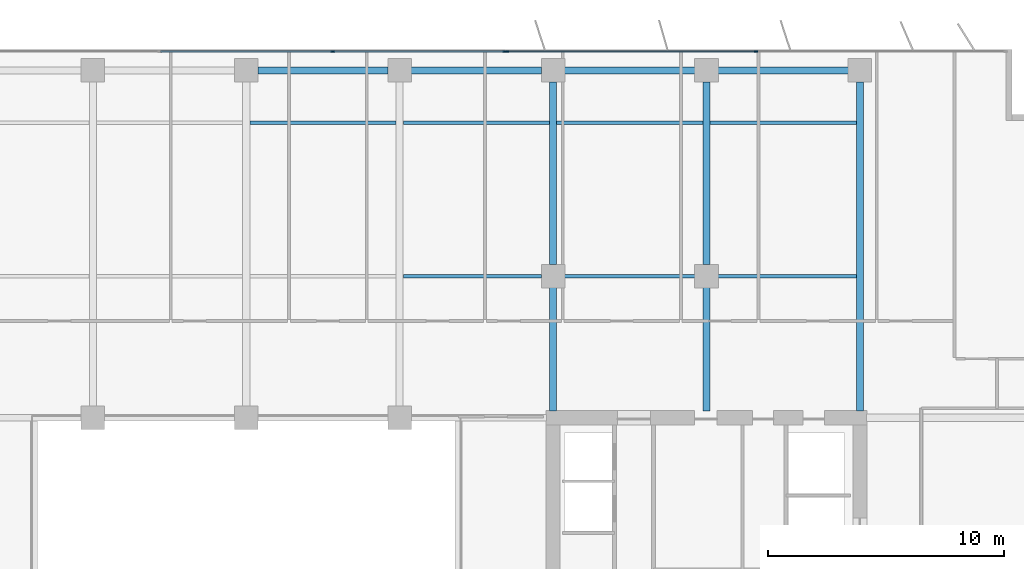
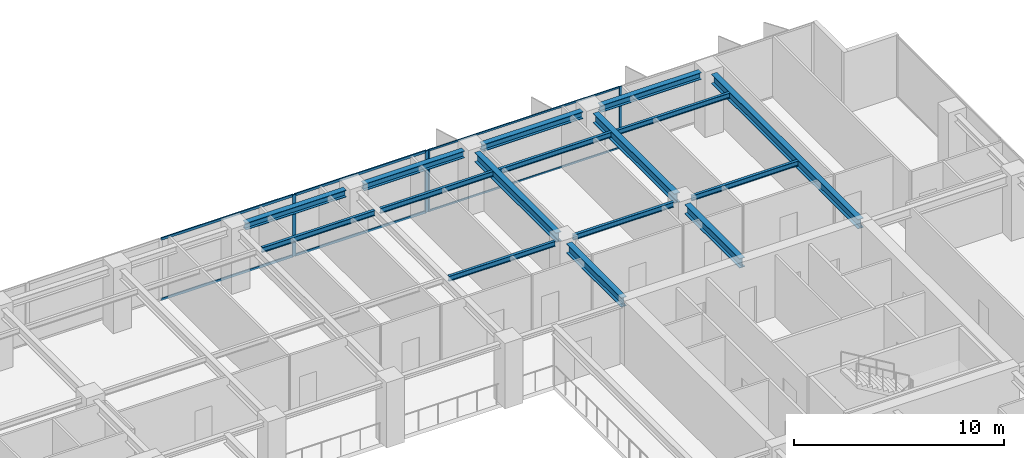
# One storey, part 10 of 22: 16 beams, 10 members, 2 elements without a shape of their own.
"""IFC4 building model written with IfcOpenShell, lengths in metres."""

from ifc_helpers import new_model, si_unit, direction, frame, origin, origin_2d, place, context, subcontext, project, spatial, rectangle, i_section, extrude, material, layer, layer_set, material_profile, profile_set, type_object, element, aggregate, save


model = new_model("IFC4")

# Units and contexts
model_context = context("Model", 3, precision=1e-05, world=origin(), true_north=direction((0.0, 1.0)))
body_context = subcontext(model_context, "Body", "Model", "MODEL_VIEW")
ifc_project = project(units=[si_unit("LENGTHUNIT", "METRE"), si_unit("AREAUNIT", "SQUARE_METRE"), si_unit("VOLUMEUNIT", "CUBIC_METRE"), si_unit("PLANEANGLEUNIT", "RADIAN"), si_unit("MASSUNIT", "GRAM", prefix="KILO")], contexts=[model_context])

# Site, building, storey
site_placement = place(None, origin())
site = spatial("IfcSite", under=ifc_project, at=site_placement, CompositionType="ELEMENT")
building_placement = place(site_placement, origin())
building = spatial("IfcBuilding", under=site, at=building_placement, Name="Putna Gate Headquarters", CompositionType="ELEMENT")
storey_placement = place(building_placement, frame((0.0, 0.0, 186.0)))
storey = spatial("IfcBuildingStorey", under=building, at=storey_placement, Name="L46", CompositionType="ELEMENT", Elevation=186.0)

# Beams
ifc_material_1 = material(Name="Steel S355J2", Category="steel")
ifc_material_profile_1 = material_profile(ifc_material_1, i_section(OverallWidth=0.300048828125, OverallDepth=0.550048828125, WebThickness=0.014892578125, FlangeThickness=0.029052734375, at=origin_2d()), Name="Steel S355J2")
ifc_profile_set_1 = profile_set([ifc_material_profile_1], Name="Steel S355J2")
beam_type_1 = type_object("IfcBeamType", Name="BM-GIRD-Z3-HEB550", PredefinedType="USERDEFINED", material=ifc_profile_set_1)
beam_1_placement = place(storey_placement, frame((52.0, 33.284912109375, 3.297119140625), z_axis=(0.0, 1.0, 0.0), x_axis=(-1.0, 0.0, 0.0)))
element("IfcBeam", 1, at=beam_1_placement, inside=storey, type_object=beam_type_1, Name="L46 North Primary Girder X52-1", ObjectType="GIRDER", PredefinedType="USERDEFINED", context=body_context, shape_type="SweptSolid", body=[
    extrude(i_section(OverallWidth=0.300048828125, OverallDepth=0.550048828125, WebThickness=0.014892578125, FlangeThickness=0.029052734375, at=origin_2d()), origin(), (0.0, 0.0, 1.0), 5.22705078125),
])
beam_2_placement = place(storey_placement, frame((52.0, 39.488037109375, 3.297119140625), z_axis=(0.0, 1.0, 0.0), x_axis=(-1.0, 0.0, 0.0)))
element("IfcBeam", 2, at=beam_2_placement, inside=storey, type_object=beam_type_1, Name="L46 North Primary Girder X52-2", ObjectType="GIRDER", PredefinedType="USERDEFINED", context=body_context, shape_type="SweptSolid", body=[
    extrude(i_section(OverallWidth=0.300048828125, OverallDepth=0.550048828125, WebThickness=0.014892578125, FlangeThickness=0.029052734375, at=origin_2d()), origin(), (0.0, 0.0, 1.0), 7.743896484375),
])
beam_3_placement = place(storey_placement, frame((58.5, 33.284912109375, 3.297119140625), z_axis=(0.0, 1.0, 0.0), x_axis=(-1.0, 0.0, 0.0)))
element("IfcBeam", 3, at=beam_3_placement, inside=storey, type_object=beam_type_1, Name="L46 North Primary Girder X58-1", ObjectType="GIRDER", PredefinedType="USERDEFINED", context=body_context, shape_type="SweptSolid", body=[
    extrude(i_section(OverallWidth=0.300048828125, OverallDepth=0.550048828125, WebThickness=0.014892578125, FlangeThickness=0.029052734375, at=origin_2d()), origin(), (0.0, 0.0, 1.0), 5.22705078125),
])
beam_4_placement = place(storey_placement, frame((58.5, 39.488037109375, 3.297119140625), z_axis=(0.0, 1.0, 0.0), x_axis=(-1.0, 0.0, 0.0)))
element("IfcBeam", 4, at=beam_4_placement, inside=storey, type_object=beam_type_1, Name="L46 North Primary Girder X58-2", ObjectType="GIRDER", PredefinedType="USERDEFINED", context=body_context, shape_type="SweptSolid", body=[
    extrude(i_section(OverallWidth=0.300048828125, OverallDepth=0.550048828125, WebThickness=0.014892578125, FlangeThickness=0.029052734375, at=origin_2d()), origin(), (0.0, 0.0, 1.0), 7.743896484375),
])
beam_5_placement = place(storey_placement, frame((65.0, 33.284912109375, 3.297119140625), z_axis=(0.0, 1.0, 0.0), x_axis=(-1.0, 0.0, 0.0)))
element("IfcBeam", 5, at=beam_5_placement, inside=storey, type_object=beam_type_1, Name="L46 North Primary Girder X65", ObjectType="GIRDER", PredefinedType="USERDEFINED", context=body_context, shape_type="SweptSolid", body=[
    extrude(i_section(OverallWidth=0.300048828125, OverallDepth=0.550048828125, WebThickness=0.014892578125, FlangeThickness=0.029052734375, at=origin_2d()), origin(), (0.0, 0.0, 1.0), 13.947021484375),
])
ifc_material_profile_2 = material_profile(ifc_material_1, i_section(OverallWidth=0.14990234375, OverallDepth=0.300048828125, WebThickness=0.007080078125, FlangeThickness=0.0107421875, at=origin_2d()), Name="Steel S355J2")
ifc_profile_set_2 = profile_set([ifc_material_profile_2], Name="Steel S355J2")
beam_type_2 = type_object("IfcBeamType", Name="BM-SEC-Z3-IPE300", PredefinedType="JOIST", material=ifc_profile_set_2)
beam_6_placement = place(storey_placement, frame((39.154052734375, 45.5, 3.422119140625), z_axis=(1.0, 0.0, 0.0), x_axis=(0.0, 1.0, 0.0)))
element("IfcBeam", 6, at=beam_6_placement, inside=storey, type_object=beam_type_2, Name="L46 North Secondary Beam 5", PredefinedType="JOIST", context=body_context, shape_type="SweptSolid", body=[
    extrude(i_section(OverallWidth=0.14990234375, OverallDepth=0.300048828125, WebThickness=0.007080078125, FlangeThickness=0.0107421875, at=origin_2d()), origin(), (0.0, 0.0, 1.0), 6.19189453125),
])
beam_7_placement = place(storey_placement, frame((45.654052734375, 39.0, 3.422119140625), z_axis=(1.0, 0.0, 0.0), x_axis=(0.0, 1.0, 0.0)))
element("IfcBeam", 7, at=beam_7_placement, inside=storey, type_object=beam_type_2, Name="L46 North Secondary Beam 6", PredefinedType="JOIST", context=body_context, shape_type="SweptSolid", body=[
    extrude(i_section(OverallWidth=0.14990234375, OverallDepth=0.300048828125, WebThickness=0.007080078125, FlangeThickness=0.0107421875, at=origin_2d()), origin(), (0.0, 0.0, 1.0), 5.85791015625),
])
beam_8_placement = place(storey_placement, frame((45.654052734375, 45.5, 3.422119140625), z_axis=(1.0, 0.0, 0.0), x_axis=(0.0, 1.0, 0.0)))
element("IfcBeam", 8, at=beam_8_placement, inside=storey, type_object=beam_type_2, Name="L46 North Secondary Beam 6", PredefinedType="JOIST", context=body_context, shape_type="SweptSolid", body=[
    extrude(i_section(OverallWidth=0.14990234375, OverallDepth=0.300048828125, WebThickness=0.007080078125, FlangeThickness=0.0107421875, at=origin_2d()), origin(), (0.0, 0.0, 1.0), 6.19189453125),
])
beam_9_placement = place(storey_placement, frame((52.488037109375, 39.0, 3.422119140625), z_axis=(1.0, 0.0, 0.0), x_axis=(0.0, 1.0, 0.0)))
element("IfcBeam", 9, at=beam_9_placement, inside=storey, type_object=beam_type_2, Name="L46 North Secondary Beam 7", PredefinedType="JOIST", context=body_context, shape_type="SweptSolid", body=[
    extrude(i_section(OverallWidth=0.14990234375, OverallDepth=0.300048828125, WebThickness=0.007080078125, FlangeThickness=0.0107421875, at=origin_2d()), origin(), (0.0, 0.0, 1.0), 5.52392578125),
])
beam_10_placement = place(storey_placement, frame((52.154052734375, 45.5, 3.422119140625), z_axis=(1.0, 0.0, 0.0), x_axis=(0.0, 1.0, 0.0)))
element("IfcBeam", 10, at=beam_10_placement, inside=storey, type_object=beam_type_2, Name="L46 North Secondary Beam 7", PredefinedType="JOIST", context=body_context, shape_type="SweptSolid", body=[
    extrude(i_section(OverallWidth=0.14990234375, OverallDepth=0.300048828125, WebThickness=0.007080078125, FlangeThickness=0.0107421875, at=origin_2d()), origin(), (0.0, 0.0, 1.0), 6.19189453125),
])
beam_11_placement = place(storey_placement, frame((58.988037109375, 39.0, 3.422119140625), z_axis=(1.0, 0.0, 0.0), x_axis=(0.0, 1.0, 0.0)))
element("IfcBeam", 11, at=beam_11_placement, inside=storey, type_object=beam_type_2, Name="L46 North Secondary Beam 8", PredefinedType="JOIST", context=body_context, shape_type="SweptSolid", body=[
    extrude(i_section(OverallWidth=0.14990234375, OverallDepth=0.300048828125, WebThickness=0.007080078125, FlangeThickness=0.0107421875, at=origin_2d()), origin(), (0.0, 0.0, 1.0), 5.85791015625),
])
beam_12_placement = place(storey_placement, frame((58.654052734375, 45.5, 3.422119140625), z_axis=(1.0, 0.0, 0.0), x_axis=(0.0, 1.0, 0.0)))
element("IfcBeam", 12, at=beam_12_placement, inside=storey, type_object=beam_type_2, Name="L46 North Secondary Beam 8", PredefinedType="JOIST", context=body_context, shape_type="SweptSolid", body=[
    extrude(i_section(OverallWidth=0.14990234375, OverallDepth=0.300048828125, WebThickness=0.007080078125, FlangeThickness=0.0107421875, at=origin_2d()), origin(), (0.0, 0.0, 1.0), 6.19189453125),
])
ifc_material_profile_3 = material_profile(ifc_material_1, i_section(OverallWidth=0.300048828125, OverallDepth=0.39990234375, WebThickness=0.013427734375, FlangeThickness=0.02392578125, at=origin_2d()), Name="Steel S355J2")
ifc_profile_set_3 = profile_set([ifc_material_profile_3], Name="Steel S355J2")
beam_type_3 = type_object("IfcBeamType", Name="BM-SPAN-Z3-HEB400", PredefinedType="SPANDREL", material=ifc_profile_set_3)
for number, where, z_axis, x_axis, name in (
    (13, (39.488037109375, 47.719970703125, 3.3720703125), (1.0, 0.0, 0.0), (0.0, 1.0, 0.0), "L46 N Perimeter Spandrel 5"),
    (14, (45.988037109375, 47.719970703125, 3.3720703125), (1.0, 0.0, 0.0), (0.0, 1.0, 0.0), "L46 N Perimeter Spandrel 6"),
    (15, (52.488037109375, 47.719970703125, 3.3720703125), (1.0, 0.0, 0.0), (0.0, 1.0, 0.0), "L46 N Perimeter Spandrel 7"),
    (16, (58.988037109375, 47.719970703125, 3.3720703125), (1.0, 0.0, 0.0), (0.0, 1.0, 0.0), "L46 N Perimeter Spandrel 8"),
):
    element("IfcBeam", number, at=place(storey_placement, frame(where, z_axis=z_axis, x_axis=x_axis)), inside=storey, type_object=beam_type_3, Name=name, PredefinedType="SPANDREL", context=body_context, shape_type="SweptSolid", body=[
        extrude(i_section(OverallWidth=0.300048828125, OverallDepth=0.39990234375, WebThickness=0.013427734375, FlangeThickness=0.02392578125, at=origin_2d()), origin(), (0.0, 0.0, 1.0), 5.52392578125),
    ])

# Curtain wall, members
ifc_material_2 = material(Name="Anodised bronze aluminium curtain wall", Category="aluminium")
ifc_layer_1 = layer(ifc_material_2, 0.159912109375)
ifc_layer_set_1 = layer_set([ifc_layer_1], Name="Anodised bronze aluminium curtain wall")
curtain_wall_type_1 = type_object("IfcCurtainWallType", Name="CW-SYS-Z3", PredefinedType="USERDEFINED", material=ifc_layer_set_1)
curtain_wall_1_placement = place(storey_placement, origin())
curtain_wall_1 = element("IfcCurtainWall", 17, at=curtain_wall_1_placement, inside=storey, type_object=curtain_wall_type_1, Name="L46 North East Curtain Wall", ObjectType="STICK CURTAIN WALL", PredefinedType="USERDEFINED")
ifc_material_3 = material(Name="Anodised bronze aluminium EN AW-6060", Category="aluminium")
ifc_material_profile_4 = material_profile(ifc_material_3, rectangle(XDim=0.06494140625, YDim=0.159912109375, at=origin_2d()), Name="Anodised bronze aluminium EN AW-6060")
ifc_profile_set_4 = profile_set([ifc_material_profile_4], Name="Anodised bronze aluminium EN AW-6060")
member_type_1 = type_object("IfcMemberType", Name="MULL-CWM-3", PredefinedType="MULLION", material=ifc_profile_set_4)
member_1_placement = place(storey_placement, frame((50.032470703125, 48.52001953125, 0.0), z_axis=(0.0, 0.0, 1.0), x_axis=(0.0, 1.0, 0.0)))
member_1 = element("IfcMember", 18, at=member_1_placement, type_object=member_type_1, Name="CWS-3 mullion 1", PredefinedType="MULLION", context=body_context, shape_type="SweptSolid", body=[
    extrude(rectangle(XDim=0.06494140625, YDim=0.159912109375, at=origin_2d()), origin(), (0.0, 0.0, 1.0), 3.572021484375),
])
member_2_placement = place(storey_placement, frame((60.60009765625, 48.52001953125, 0.0), z_axis=(0.0, 0.0, 1.0), x_axis=(0.0, 1.0, 0.0)))
member_2 = element("IfcMember", 19, at=member_2_placement, type_object=member_type_1, Name="CWS-3 mullion 2", PredefinedType="MULLION", context=body_context, shape_type="SweptSolid", body=[
    extrude(rectangle(XDim=0.06494140625, YDim=0.159912109375, at=origin_2d()), origin(), (0.0, 0.0, 1.0), 3.572021484375),
])

ifc_layer_2 = layer(ifc_material_2, 0.179931640625)
ifc_layer_set_2 = layer_set([ifc_layer_2], Name="Anodised bronze aluminium curtain wall")
curtain_wall_type_2 = type_object("IfcCurtainWallType", Name="CW-SYS-ATR", PredefinedType="USERDEFINED", material=ifc_layer_set_2)
curtain_wall_2_placement = place(storey_placement, origin())
curtain_wall_2 = element("IfcCurtainWall", 20, at=curtain_wall_2_placement, inside=storey, type_object=curtain_wall_type_2, Name="L46 North Atrium Clear Glazing", ObjectType="ATRIUM GLAZING", PredefinedType="USERDEFINED")
ifc_material_profile_5 = material_profile(ifc_material_3, rectangle(XDim=0.070068359375, YDim=0.179931640625, at=origin_2d()), Name="Anodised bronze aluminium EN AW-6060")
ifc_profile_set_5 = profile_set([ifc_material_profile_5], Name="Anodised bronze aluminium EN AW-6060")
member_type_2 = type_object("IfcMemberType", Name="MULL-CWM-AT", PredefinedType="MULLION", material=ifc_profile_set_5)
member_3_placement = place(storey_placement, frame((42.666748046875, 48.52001953125, 0.0), z_axis=(0.0, 0.0, 1.0), x_axis=(0.0, 1.0, 0.0)))
member_3 = element("IfcMember", 21, at=member_3_placement, type_object=member_type_2, Name="CWS-AT mullion 3", PredefinedType="MULLION", context=body_context, shape_type="SweptSolid", body=[
    extrude(rectangle(XDim=0.070068359375, YDim=0.179931640625, at=origin_2d()), origin(), (0.0, 0.0, 1.0), 3.572021484375),
])
member_4_placement = place(storey_placement, frame((49.965087890625, 48.52001953125, 0.0), z_axis=(0.0, 0.0, 1.0), x_axis=(0.0, 1.0, 0.0)))
member_4 = element("IfcMember", 22, at=member_4_placement, type_object=member_type_2, Name="CWS-AT mullion 4", PredefinedType="MULLION", context=body_context, shape_type="SweptSolid", body=[
    extrude(rectangle(XDim=0.070068359375, YDim=0.179931640625, at=origin_2d()), origin(), (0.0, 0.0, 1.0), 3.572021484375),
])

# Member
ifc_material_profile_6 = material_profile(ifc_material_3, rectangle(XDim=0.06005859375, YDim=0.10009765625, at=origin_2d()), Name="Anodised bronze aluminium EN AW-6060")
ifc_profile_set_6 = profile_set([ifc_material_profile_6], Name="Anodised bronze aluminium EN AW-6060")
member_type_3 = type_object("IfcMemberType", Name="TRAN-CWT-3", PredefinedType="USERDEFINED", material=ifc_profile_set_6)
member_5_placement = place(storey_placement, frame((50.06494140625, 48.52001953125, 0.030029296875), z_axis=(1.0, 0.0, 0.0), x_axis=(0.0, 1.0, 0.0)))
member_5 = element("IfcMember", 23, at=member_5_placement, type_object=member_type_3, Name="CWS-3 transom 1.1", ObjectType="TRANSOM", PredefinedType="USERDEFINED", context=body_context, shape_type="SweptSolid", body=[
    extrude(rectangle(XDim=0.06005859375, YDim=0.10009765625, at=origin_2d()), origin(), (0.0, 0.0, 1.0), 10.50244140625),
])

member_6_placement = place(storey_placement, frame((50.06494140625, 48.52001953125, 3.5419921875), z_axis=(1.0, 0.0, 0.0), x_axis=(0.0, 1.0, 0.0)))
member_6 = element("IfcMember", 24, at=member_6_placement, type_object=member_type_3, Name="CWS-3 transom 1.2", ObjectType="TRANSOM", PredefinedType="USERDEFINED", context=body_context, shape_type="SweptSolid", body=[
    extrude(rectangle(XDim=0.06005859375, YDim=0.10009765625, at=origin_2d()), origin(), (0.0, 0.0, 1.0), 10.50244140625),
])

aggregate(curtain_wall_1, [member_1, member_2, member_5, member_6])

ifc_material_profile_7 = material_profile(ifc_material_3, rectangle(XDim=0.070068359375, YDim=0.139892578125, at=origin_2d()), Name="Anodised bronze aluminium EN AW-6060")
ifc_profile_set_7 = profile_set([ifc_material_profile_7], Name="Anodised bronze aluminium EN AW-6060")
member_type_4 = type_object("IfcMemberType", Name="TRAN-CWT-AT", PredefinedType="USERDEFINED", material=ifc_profile_set_7)
member_7_placement = place(storey_placement, frame((35.368408203125, 48.52001953125, 0.034912109375), z_axis=(1.0, 0.0, 0.0), x_axis=(0.0, 1.0, 0.0)))
member_7 = element("IfcMember", 25, at=member_7_placement, type_object=member_type_4, Name="CWS-AT transom 2.1", ObjectType="TRANSOM", PredefinedType="USERDEFINED", context=body_context, shape_type="SweptSolid", body=[
    extrude(rectangle(XDim=0.070068359375, YDim=0.139892578125, at=origin_2d()), origin(), (0.0, 0.0, 1.0), 7.26318359375),
])

member_8_placement = place(storey_placement, frame((35.368408203125, 48.52001953125, 3.537109375), z_axis=(1.0, 0.0, 0.0), x_axis=(0.0, 1.0, 0.0)))
member_8 = element("IfcMember", 26, at=member_8_placement, type_object=member_type_4, Name="CWS-AT transom 2.2", ObjectType="TRANSOM", PredefinedType="USERDEFINED", context=body_context, shape_type="SweptSolid", body=[
    extrude(rectangle(XDim=0.070068359375, YDim=0.139892578125, at=origin_2d()), origin(), (0.0, 0.0, 1.0), 7.26318359375),
])

member_9_placement = place(storey_placement, frame((42.70166015625, 48.52001953125, 0.034912109375), z_axis=(1.0, 0.0, 0.0), x_axis=(0.0, 1.0, 0.0)))
member_9 = element("IfcMember", 27, at=member_9_placement, type_object=member_type_4, Name="CWS-AT transom 3.1", ObjectType="TRANSOM", PredefinedType="USERDEFINED", context=body_context, shape_type="SweptSolid", body=[
    extrude(rectangle(XDim=0.070068359375, YDim=0.139892578125, at=origin_2d()), origin(), (0.0, 0.0, 1.0), 7.228271484375),
])

member_10_placement = place(storey_placement, frame((42.70166015625, 48.52001953125, 3.537109375), z_axis=(1.0, 0.0, 0.0), x_axis=(0.0, 1.0, 0.0)))
member_10 = element("IfcMember", 28, at=member_10_placement, type_object=member_type_4, Name="CWS-AT transom 3.2", ObjectType="TRANSOM", PredefinedType="USERDEFINED", context=body_context, shape_type="SweptSolid", body=[
    extrude(rectangle(XDim=0.070068359375, YDim=0.139892578125, at=origin_2d()), origin(), (0.0, 0.0, 1.0), 7.228271484375),
])

aggregate(curtain_wall_2, [member_3, member_4, member_7, member_8, member_9, member_10])

save(model, "model.ifc")
